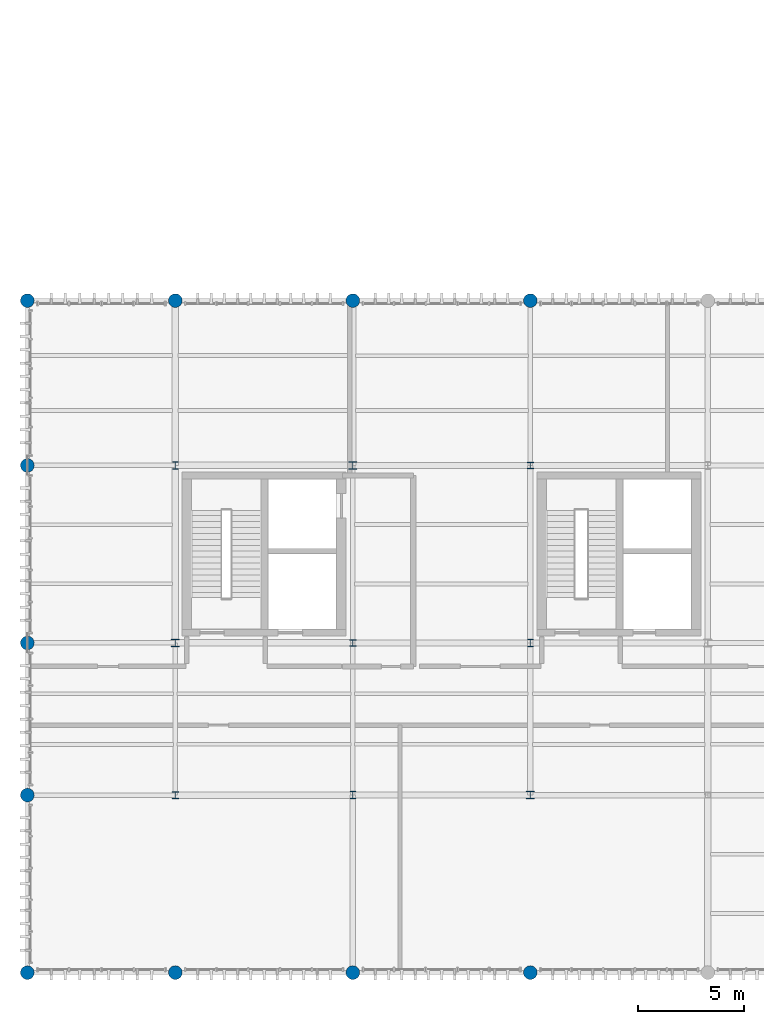
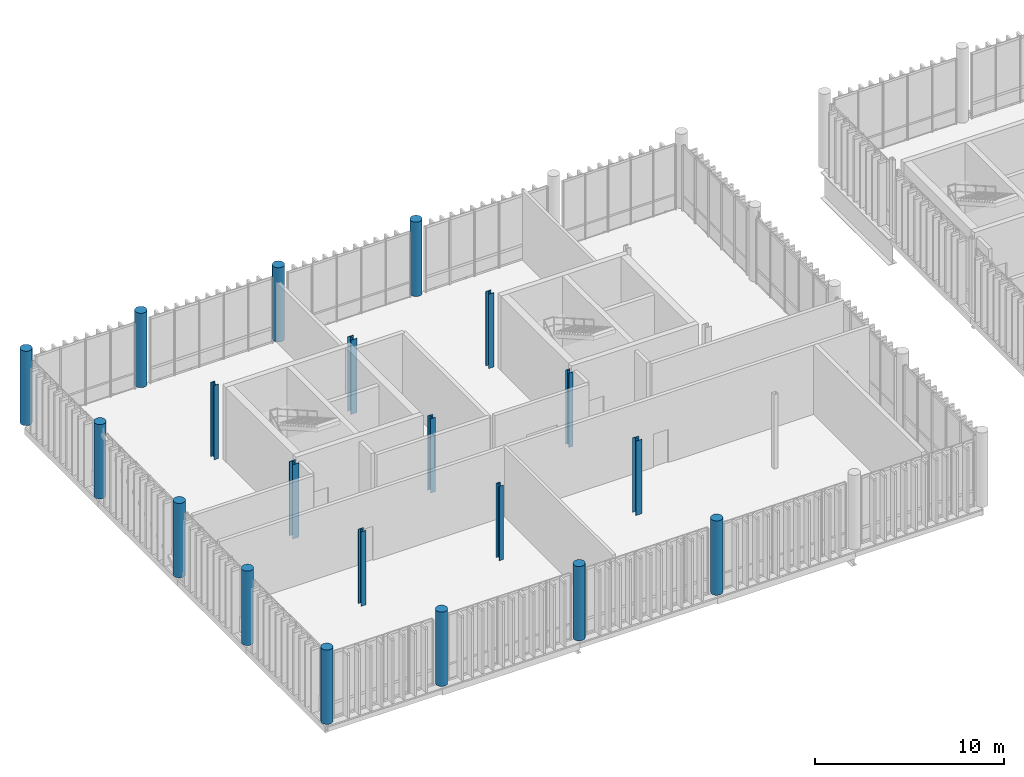
# One storey, part 1 of 86: 20 columns.
"""IFC4 building model written with IfcOpenShell, lengths in metres."""

from ifc_helpers import new_model, si_unit, direction, frame, origin_with_axes, origin_2d_with_axis, place, context, subcontext, project, spatial, circle, i_section, extrude, material, material_profile, profile_set, type_object, element, save


model = new_model("IFC4")

# Units and contexts
model_context = context("Model", 3, precision=1e-05, world=origin_with_axes(), true_north=direction((0.0, 1.0)))
body_context = subcontext(model_context, "Body", "Model", "MODEL_VIEW")
ifc_project = project(units=[si_unit("LENGTHUNIT", "METRE"), si_unit("AREAUNIT", "SQUARE_METRE"), si_unit("VOLUMEUNIT", "CUBIC_METRE"), si_unit("PLANEANGLEUNIT", "RADIAN"), si_unit("MASSUNIT", "GRAM", prefix="KILO"), si_unit("THERMODYNAMICTEMPERATUREUNIT", "KELVIN")], contexts=[model_context])

# Site, building, storey
site_placement = place(None, origin_with_axes())
site = spatial("IfcSite", under=ifc_project, at=site_placement, CompositionType="ELEMENT")
building_placement = place(site_placement, origin_with_axes())
building = spatial("IfcBuilding", under=site, at=building_placement, Name="Montbau Bow Law Courts", CompositionType="ELEMENT")
storey_placement = place(building_placement, frame((0.0, 0.0, 29.7), z_axis=(0.0, 0.0, 1.0), x_axis=(1.0, 0.0, 0.0)))
storey = spatial("IfcBuildingStorey", under=building, at=storey_placement, Name="L06", CompositionType="ELEMENT", Elevation=29.7)

# Columns
ifc_material_1 = material(Name="Concrete CSA A23.1 f'c 40 MPa", Category="concrete")
ifc_material_profile_1 = material_profile(ifc_material_1, circle(Radius=0.325, at=origin_2d_with_axis()), Name="RC650D", Category="Main", Priority=0)
ifc_profile_set_1 = profile_set([ifc_material_profile_1], Name="Concrete CSA A23.1 f'c 40 MPa")
column_type_1 = type_object("IfcColumnType", Name="C-RC-08", PredefinedType="COLUMN", material=ifc_profile_set_1)
for number, where, z_axis, x_axis, name in (
    (1, (6.8, 30.6, 29.7), (0.0, 0.0, 1.0), (1.0, 0.0, 0.0), "C-L06-S0914:col2_0914"),
    (2, (6.8, 39.0, 29.7), (0.0, 0.0, 1.0), (1.0, 0.0, 0.0), "C-L06-S0915:col2_0915"),
    (3, (6.8, 46.2, 29.7), (0.0, 0.0, 1.0), (1.0, 0.0, 0.0), "C-L06-S0916:col2_0916"),
    (4, (6.8, 54.6, 29.7), (0.0, 0.0, 1.0), (1.0, 0.0, 0.0), "C-L06-S0917:col2_0917"),
    (5, (6.8, 62.4, 29.7), (0.0, 0.0, 1.0), (1.0, 0.0, 0.0), "C-L06-S0918:col2_0918"),
    (6, (13.8, 30.6, 29.7), (0.0, 0.0, 1.0), (1.0, 0.0, 0.0), "C-L06-S0919:col2_0919"),
    (7, (13.8, 62.4, 29.7), (0.0, 0.0, 1.0), (1.0, 0.0, 0.0), "C-L06-S0923:col2_0923"),
    (8, (22.2, 30.6, 29.7), (0.0, 0.0, 1.0), (1.0, 0.0, 0.0), "C-L06-S0924:col2_0924"),
    (9, (22.2, 62.4, 29.7), (0.0, 0.0, 1.0), (1.0, 0.0, 0.0), "C-L06-S0928:col2_0928"),
    (10, (30.6, 30.6, 29.7), (0.0, 0.0, 1.0), (1.0, 0.0, 0.0), "C-L06-S0929:col2_0929"),
    (11, (30.6, 62.4, 29.7), (0.0, 0.0, 1.0), (1.0, 0.0, 0.0), "C-L06-S0933:col2_0933"),
):
    element("IfcColumn", number, at=place(None, frame(where, z_axis=z_axis, x_axis=x_axis)), inside=storey, type_object=column_type_1, Name=name, PredefinedType="COLUMN", context=body_context, shape_type="SweptSolid", body=[
        extrude(circle(Radius=0.325, at=origin_2d_with_axis()), origin_with_axes(), (0.0, 0.0, 1.0), 4.8),
    ])
ifc_material_2 = material(Name="Steel CSA G40.21 Grade 350W (350 MPa)", Category="steel")
ifc_material_profile_2 = material_profile(ifc_material_2, i_section(OverallWidth=0.373, OverallDepth=0.368, WebThickness=0.015, FlangeThickness=0.0239, at=origin_2d_with_axis()), Name="W360X179", Category="Main", Priority=0)
ifc_profile_set_2 = profile_set([ifc_material_profile_2], Name="Steel CSA G40.21 Grade 350W (350 MPa)")
column_type_2 = type_object("IfcColumnType", Name="C-STL-04", PredefinedType="COLUMN", material=ifc_profile_set_2)
for number, where, z_axis, x_axis, name in (
    (12, (13.8, 46.2, 29.7), (0.0, 0.0, 1.0), (1.0, 0.0, 0.0), "C-L06-S0921:col2_0921"),
    (13, (22.2, 54.6, 29.7), (0.0, 0.0, 1.0), (1.0, 0.0, 0.0), "C-L06-S0927:col2_0927"),
    (14, (30.6, 39.0, 29.7), (0.0, 0.0, 1.0), (1.0, 0.0, 0.0), "C-L06-S0930:col2_0930"),
):
    element("IfcColumn", number, at=place(None, frame(where, z_axis=z_axis, x_axis=x_axis)), inside=storey, type_object=column_type_2, Name=name, PredefinedType="COLUMN", context=body_context, shape_type="SweptSolid", body=[
        extrude(i_section(OverallWidth=0.373, OverallDepth=0.368, WebThickness=0.015, FlangeThickness=0.0239, at=origin_2d_with_axis()), origin_with_axes(), (0.0, 0.0, 1.0), 4.8),
    ])
ifc_material_profile_3 = material_profile(ifc_material_2, i_section(OverallWidth=0.257, OverallDepth=0.363, WebThickness=0.013, FlangeThickness=0.0217, at=origin_2d_with_axis()), Name="W360X122", Category="Main", Priority=0)
ifc_profile_set_3 = profile_set([ifc_material_profile_3], Name="Steel CSA G40.21 Grade 350W (350 MPa)")
column_type_3 = type_object("IfcColumnType", Name="C-STL-05", PredefinedType="COLUMN", material=ifc_profile_set_3)
for number, where, z_axis, x_axis, name in (
    (15, (13.8, 54.6, 29.7), (0.0, 0.0, 1.0), (1.0, 0.0, 0.0), "C-L06-S0922:col2_0922"),
    (16, (22.2, 39.0, 29.7), (0.0, 0.0, 1.0), (1.0, 0.0, 0.0), "C-L06-S0925:col2_0925"),
    (17, (30.6, 46.2, 29.7), (0.0, 0.0, 1.0), (1.0, 0.0, 0.0), "C-L06-S0931:col2_0931"),
):
    element("IfcColumn", number, at=place(None, frame(where, z_axis=z_axis, x_axis=x_axis)), inside=storey, type_object=column_type_3, Name=name, PredefinedType="COLUMN", context=body_context, shape_type="SweptSolid", body=[
        extrude(i_section(OverallWidth=0.257, OverallDepth=0.363, WebThickness=0.013, FlangeThickness=0.0217, at=origin_2d_with_axis()), origin_with_axes(), (0.0, 0.0, 1.0), 4.8),
    ])
ifc_material_profile_4 = material_profile(ifc_material_2, i_section(OverallWidth=0.309, OverallDepth=0.323, WebThickness=0.014, FlangeThickness=0.0229, at=origin_2d_with_axis()), Name="W310X143", Category="Main", Priority=0)
ifc_profile_set_4 = profile_set([ifc_material_profile_4], Name="Steel CSA G40.21 Grade 350W (350 MPa)")
column_type_4 = type_object("IfcColumnType", Name="C-STL-06", PredefinedType="COLUMN", material=ifc_profile_set_4)
for number, where, z_axis, x_axis, name in (
    (18, (13.8, 39.0, 29.7), (0.0, 0.0, 1.0), (1.0, 0.0, 0.0), "C-L06-S0920:col2_0920"),
    (19, (22.2, 46.2, 29.7), (0.0, 0.0, 1.0), (1.0, 0.0, 0.0), "C-L06-S0926:col2_0926"),
    (20, (30.6, 54.6, 29.7), (0.0, 0.0, 1.0), (1.0, 0.0, 0.0), "C-L06-S0932:col2_0932"),
):
    element("IfcColumn", number, at=place(None, frame(where, z_axis=z_axis, x_axis=x_axis)), inside=storey, type_object=column_type_4, Name=name, PredefinedType="COLUMN", context=body_context, shape_type="SweptSolid", body=[
        extrude(i_section(OverallWidth=0.309, OverallDepth=0.323, WebThickness=0.014, FlangeThickness=0.0229, at=origin_2d_with_axis()), origin_with_axes(), (0.0, 0.0, 1.0), 4.8),
    ])

save(model, "model.ifc")
